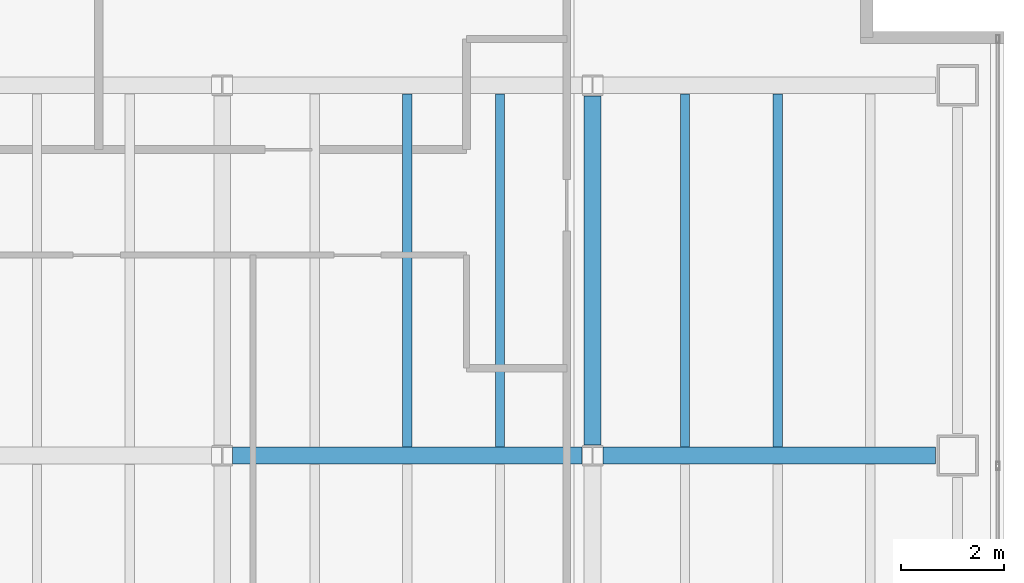
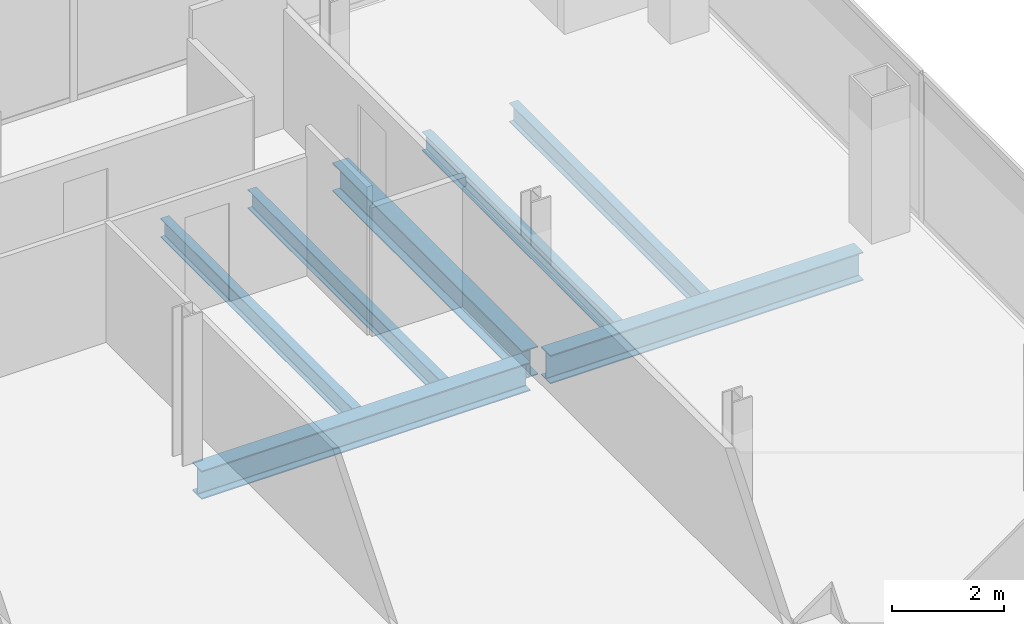
# One storey, part 13 of 23: 7 beams.
"""IFC4 building model written with IfcOpenShell, lengths in metres."""

from ifc_helpers import new_model, si_unit, direction, frame, origin, origin_2d, place, context, subcontext, project, spatial, i_section, extrude, material, material_profile, profile_set, type_object, element, save


model = new_model("IFC4")

# Units and contexts
model_context = context("Model", 3, precision=1e-05, world=origin(), true_north=direction((0.0, 1.0)))
body_context = subcontext(model_context, "Body", "Model", "MODEL_VIEW")
ifc_project = project(units=[si_unit("LENGTHUNIT", "METRE"), si_unit("AREAUNIT", "SQUARE_METRE"), si_unit("VOLUMEUNIT", "CUBIC_METRE"), si_unit("PLANEANGLEUNIT", "RADIAN"), si_unit("MASSUNIT", "GRAM", prefix="KILO")], contexts=[model_context])

# Site, building, storey
site_placement = place(None, origin())
site = spatial("IfcSite", under=ifc_project, at=site_placement, CompositionType="ELEMENT")
building_placement = place(site_placement, origin())
building = spatial("IfcBuilding", under=site, at=building_placement, Name="Cobrela Telecom Tower", CompositionType="ELEMENT")
storey_placement = place(building_placement, frame((0.0, 0.0, 187.25)))
storey = spatial("IfcBuildingStorey", under=building, at=storey_placement, Name="L47", CompositionType="ELEMENT", Elevation=187.25)

# Beams
ifc_material = material(Name="Steel ASTM A992 Grade 50", Category="steel")
ifc_material_profile_1 = material_profile(ifc_material, i_section(OverallWidth=0.327880859375, OverallDepth=0.6220703125, WebThickness=0.015380859375, FlangeThickness=0.0244140625, FilletRadius=0.014892578125, at=origin_2d()), Name="W24X131")
ifc_profile_set_1 = profile_set([ifc_material_profile_1], Name="Steel ASTM A992 Grade 50")
beam_type_1 = type_object("IfcBeamType", Name="BM-GIRD-06", PredefinedType="USERDEFINED", material=ifc_profile_set_1)
beam_1_placement = place(storey_placement, frame((29.00439453125, 14.39990234375, -0.571044921875), z_axis=(1.0, 0.0, 0.0), x_axis=(0.0, 1.0, 0.0)))
element("IfcBeam", 1, at=beam_1_placement, inside=storey, type_object=beam_type_1, Name="L47 Primary Girder X13", ObjectType="GIRDER", PredefinedType="USERDEFINED", context=body_context, shape_type="SweptSolid", body=[
    extrude(i_section(OverallWidth=0.327880859375, OverallDepth=0.6220703125, WebThickness=0.015380859375, FlangeThickness=0.0244140625, FilletRadius=0.014892578125, at=origin_2d()), origin(), (0.0, 0.0, 1.0), 6.791015625),
])
beam_2_placement = place(storey_placement, frame((36.20458984375, 14.39990234375, -0.571044921875), z_axis=(1.0, 0.0, 0.0), x_axis=(0.0, 1.0, 0.0)))
element("IfcBeam", 2, at=beam_2_placement, inside=storey, type_object=beam_type_1, Name="L47 Primary Girder X14", ObjectType="GIRDER", PredefinedType="USERDEFINED", context=body_context, shape_type="SweptSolid", body=[
    extrude(i_section(OverallWidth=0.327880859375, OverallDepth=0.6220703125, WebThickness=0.015380859375, FlangeThickness=0.0244140625, FilletRadius=0.014892578125, at=origin_2d()), origin(), (0.0, 0.0, 1.0), 6.46533203125),
])
beam_3_placement = place(storey_placement, frame((36.0, 14.6044921875, -0.571044921875), z_axis=(0.0, 1.0, 0.0), x_axis=(-1.0, 0.0, 0.0)))
element("IfcBeam", 3, at=beam_3_placement, inside=storey, type_object=beam_type_1, Name="L47 Primary Girder Y41", ObjectType="GIRDER", PredefinedType="USERDEFINED", context=body_context, shape_type="SweptSolid", body=[
    extrude(i_section(OverallWidth=0.327880859375, OverallDepth=0.6220703125, WebThickness=0.015380859375, FlangeThickness=0.0244140625, FilletRadius=0.014892578125, at=origin_2d()), origin(), (0.0, 0.0, 1.0), 6.791015625),
])
ifc_material_profile_2 = material_profile(ifc_material, i_section(OverallWidth=0.179931640625, OverallDepth=0.4169921875, WebThickness=0.010986328125, FlangeThickness=0.01806640625, FilletRadius=0.011962890625, at=origin_2d()), Name="W16X57")
ifc_profile_set_2 = profile_set([ifc_material_profile_2], Name="Steel ASTM A992 Grade 50")
beam_type_2 = type_object("IfcBeamType", Name="BM-JOIST-04", PredefinedType="JOIST", material=ifc_profile_set_2)
for number, where, z_axis, x_axis, name in (
    (4, (32.39990234375, 14.569091796875, -0.468505859375), (0.0, 1.0, 0.0), (-1.0, 0.0, 0.0), "L47 Secondary Composite Floor Beam J22"),
    (5, (34.199951171875, 14.569091796875, -0.468505859375), (0.0, 1.0, 0.0), (-1.0, 0.0, 0.0), "L47 Secondary Composite Floor Beam J24"),
    (6, (37.800048828125, 14.569091796875, -0.468505859375), (0.0, 1.0, 0.0), (-1.0, 0.0, 0.0), "L47 Secondary Composite Floor Beam J26"),
    (7, (39.60009765625, 14.569091796875, -0.468505859375), (0.0, 1.0, 0.0), (-1.0, 0.0, 0.0), "L47 Secondary Composite Floor Beam J28"),
):
    element("IfcBeam", number, at=place(storey_placement, frame(where, z_axis=z_axis, x_axis=x_axis)), inside=storey, type_object=beam_type_2, Name=name, PredefinedType="JOIST", context=body_context, shape_type="SweptSolid", body=[
        extrude(i_section(OverallWidth=0.179931640625, OverallDepth=0.4169921875, WebThickness=0.010986328125, FlangeThickness=0.01806640625, FilletRadius=0.011962890625, at=origin_2d()), origin(), (0.0, 0.0, 1.0), 6.86181640625),
    ])

save(model, "model.ifc")
